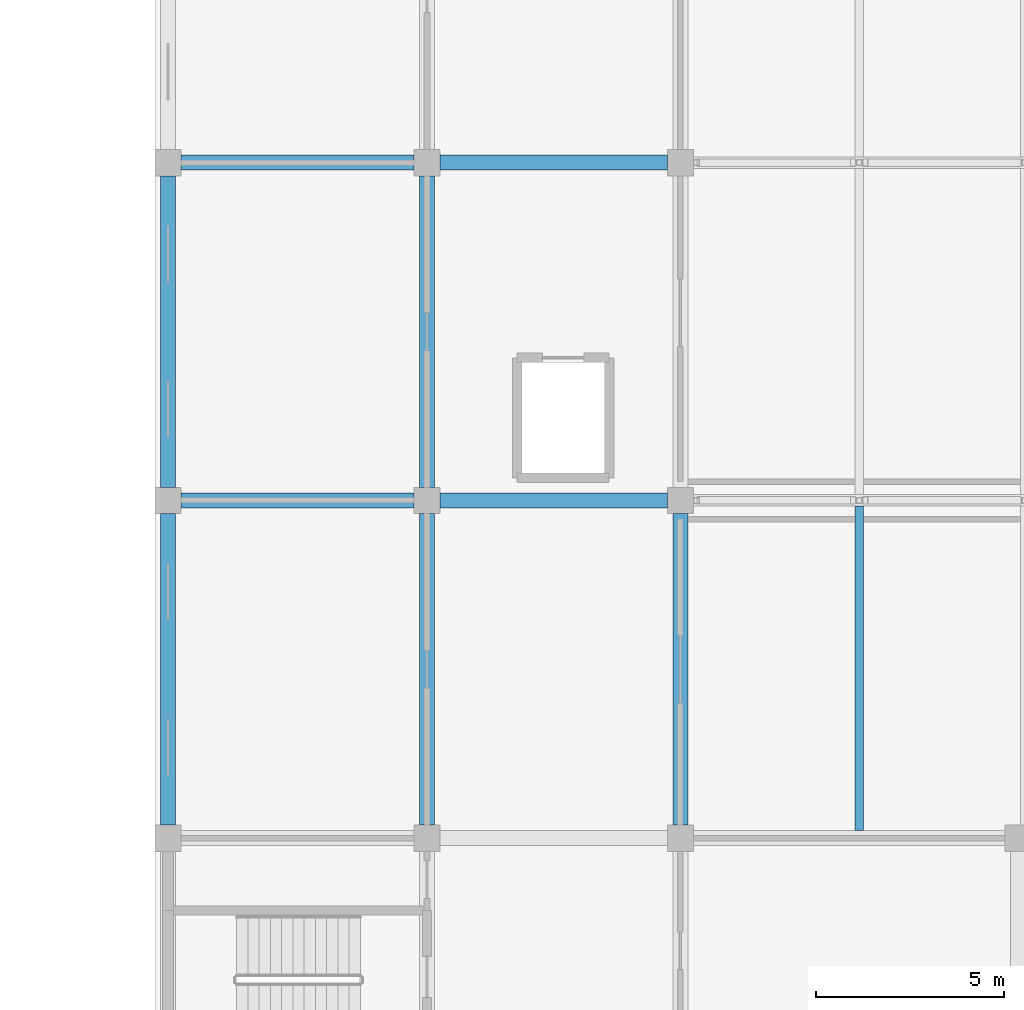
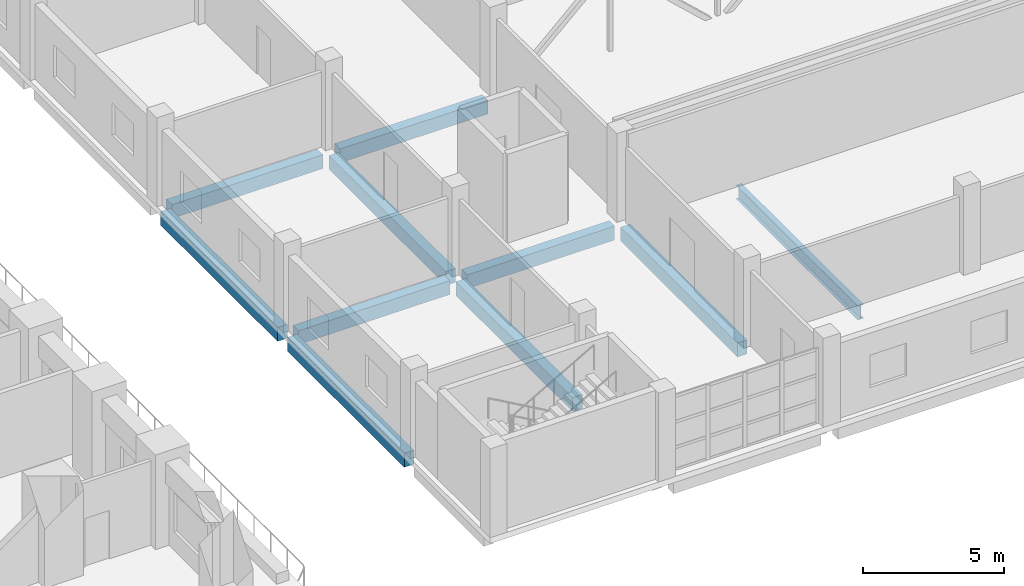
# One storey, part 3 of 42: 10 beams.
"""IFC4 building model written with IfcOpenShell, lengths in metres."""

import ifcopenshell
import ifcopenshell.guid

model = None  # the IFC model being written
_history = None  # IfcOwnerHistory: only IFC2X3 demands one
_inside = {}  # id of a spatial element -> (the spatial element, [elements in it])
_under = {}  # id of a project, library or spatial element -> (it, [spatial elements below it])
_declared = {}  # id of a project -> (the project, [libraries it declares])
_typed = {}  # id of a type object -> (the type object, [elements of that type])
_made_of = {}  # id of a material, layer set ... -> (it, [elements and type objects made of it])


def new_model(schema):
    """Start an empty IFC model of exactly this schema.

    Asked for "IFC4X3", IfcOpenShell would pick the latest addendum, in which some entities
    have other attributes; the version numbers below select the first issue.
    IFC2X3 requires an IfcOwnerHistory on every rooted entity: one is made here for all.
    """
    global model, _history
    if schema == "IFC4X3":
        model = ifcopenshell.file(schema_version=(4, 3, 0, 0))
    else:
        model = ifcopenshell.file(schema=schema)
    _inside.clear()
    _under.clear()
    _declared.clear()
    _typed.clear()
    _made_of.clear()
    _history = None
    if model.schema == "IFC2X3":
        org = make("IfcOrganization", Name="unknown")
        user = make(
            "IfcPersonAndOrganization",
            ThePerson=make("IfcPerson", FamilyName="unknown"),
            TheOrganization=org,
        )
        app = make(
            "IfcApplication",
            ApplicationDeveloper=org,
            Version="unknown",
            ApplicationFullName="unknown",
            ApplicationIdentifier="unknown",
        )
        _history = make(
            "IfcOwnerHistory",
            OwningUser=user,
            OwningApplication=app,
            ChangeAction="ADDED",
            CreationDate=0,
        )
    return model


def make(cls, **values):
    """One entity of the class cls with the attributes given. An attribute that is None is left unset."""
    return model.create_entity(
        cls, **{name: value for name, value in values.items() if value is not None}
    )


def rooted(cls, **values):
    """An entity with a GlobalId (a new one), such as an element, a storey or a relation."""
    return make(cls, GlobalId=ifcopenshell.guid.new(), OwnerHistory=_history, **values)


def si_unit(unit_type, name, prefix=None):
    """IfcSIUnit, for example si_unit("LENGTHUNIT", "METRE", prefix="MILLI")."""
    return make("IfcSIUnit", UnitType=unit_type, Prefix=prefix, Name=name)


def assignment(units):
    """IfcUnitAssignment: the units of a project."""
    return None if units is None else make("IfcUnitAssignment", Units=units)


def point(xyz):
    """IfcCartesianPoint."""
    return None if xyz is None else make("IfcCartesianPoint", Coordinates=xyz)


def direction(xyz):
    """IfcDirection."""
    return None if xyz is None else make("IfcDirection", DirectionRatios=xyz)


def frame(location, z_axis=None, x_axis=None):
    """IfcAxis2Placement3D, a coordinate frame: its origin and axes. An axis left out is left unset."""
    return make(
        "IfcAxis2Placement3D",
        Location=point(location),
        Axis=direction(z_axis),
        RefDirection=direction(x_axis),
    )


def frame_2d(location, x_axis=None):
    """IfcAxis2Placement2D, a coordinate frame in the plane: its origin and x axis."""
    return make(
        "IfcAxis2Placement2D", Location=point(location), RefDirection=direction(x_axis)
    )


def origin():
    """The frame at (0, 0, 0) with its axes left unset."""
    return frame((0.0, 0.0, 0.0))


def origin_2d():
    """The frame at (0, 0) in the plane with its x axis left unset."""
    return frame_2d((0.0, 0.0))


def place(relative_to, where):
    """IfcLocalPlacement: puts the frame where relative to a parent placement (None: the world)."""
    return make(
        "IfcLocalPlacement", PlacementRelTo=relative_to, RelativePlacement=where
    )


def context(
    kind, dimensions, precision=None, world=None, true_north=None, identifier=None
):
    """IfcGeometricRepresentationContext, for example the 3D "Model" context."""
    return make(
        "IfcGeometricRepresentationContext",
        ContextIdentifier=identifier,
        ContextType=kind,
        CoordinateSpaceDimension=dimensions,
        Precision=precision,
        WorldCoordinateSystem=world,
        TrueNorth=true_north,
    )


def subcontext(parent, identifier, kind, view, scale=None):
    """IfcGeometricRepresentationSubContext, for example "Body" below "Model"."""
    return make(
        "IfcGeometricRepresentationSubContext",
        ContextIdentifier=identifier,
        ContextType=kind,
        ParentContext=parent,
        TargetScale=scale,
        TargetView=view,
    )


def project(units=None, contexts=None):
    """IfcProject with its units and contexts."""
    return rooted(
        "IfcProject",
        Name="project",
        RepresentationContexts=contexts,
        UnitsInContext=assignment(units),
    )


def spatial(cls, under=None, at=None, **own):
    """A site, building, storey or space (cls), placed at a placement, below another one or the project."""
    s = rooted(cls, ObjectPlacement=at, **own)
    if under is not None:
        _under.setdefault(under.id(), (under, []))[1].append(s)
    return s


def profile(cls, at=None, kind="AREA", **sizes):
    """A parametric profile (cls). Its sizes go by their IFC names, for example OverallWidth=200.0."""
    return make(cls, ProfileType=kind, Position=at, **sizes)


def rectangle(**sizes):
    """IfcRectangleProfileDef."""
    return profile("IfcRectangleProfileDef", **sizes)


def i_section(**sizes):
    """IfcIShapeProfileDef."""
    return profile("IfcIShapeProfileDef", **sizes)


def extrude(swept, where, along, depth):
    """IfcExtrudedAreaSolid: the profile swept, set in the frame where, extruded along a direction by depth."""
    return make(
        "IfcExtrudedAreaSolid",
        SweptArea=swept,
        Position=where,
        ExtrudedDirection=direction(along),
        Depth=depth,
    )


def shape(context_of_items, identifier, shape_type, items):
    """IfcShapeRepresentation: the items that make up one representation, for example the "Body"."""
    return make(
        "IfcShapeRepresentation",
        ContextOfItems=context_of_items,
        RepresentationIdentifier=identifier,
        RepresentationType=shape_type,
        Items=items,
    )


def material(Name=None, Category=None):
    """IfcMaterial."""
    return make("IfcMaterial", Name=Name, Category=Category)


def material_profile(
    of_material, cross_section, Name=None, Category=None, Priority=None
):
    """IfcMaterialProfile: a cross section and its material."""
    return make(
        "IfcMaterialProfile",
        Name=Name,
        Material=of_material,
        Profile=cross_section,
        Priority=Priority,
        Category=Category,
    )


def profile_set(profiles, Name=None, composite=None):
    """IfcMaterialProfileSet."""
    return make(
        "IfcMaterialProfileSet",
        Name=Name,
        MaterialProfiles=profiles,
        CompositeProfile=composite,
    )


def made_of(thing, what):
    """Note that an element or type object is made of a material, layer set ...; save() writes the relation."""
    if what is not None:
        _made_of.setdefault(what.id(), (what, []))[1].append(thing)
    return thing


def type_object(cls, material=None, **own):
    """A type object (cls), such as IfcWallType, which elements share."""
    return made_of(rooted(cls, **own), material)


def element(
    cls,
    number,
    at=None,
    inside=None,
    cuts=None,
    type_object=None,
    material=None,
    context=None,
    identifier="Body",
    shape_type=None,
    held_by="IfcProductDefinitionShape",
    body=None,
    shapes=None,
    **own,
):
    """One element of the class cls, such as IfcWall. Its Tag is "e" and its number.

    at: its placement. inside: the storey or other place that contains it. cuts: it is an
    opening in that element (IfcRelVoidsElement). A single representation is given by context,
    identifier, shape_type and body (its items); several are given by shapes. held_by: the class
    of the entity that holds the representations. save() writes the other relations.
    """
    e = rooted(cls, Tag="e%d" % number, ObjectPlacement=at, **own)
    if body is not None:
        shapes = [shape(context, identifier, shape_type, body)]
    if shapes is not None:
        e.Representation = make(held_by, Representations=shapes)
    if inside is not None:
        _inside.setdefault(inside.id(), (inside, []))[1].append(e)
    if cuts is not None:
        rooted(
            "IfcRelVoidsElement", RelatingBuildingElement=cuts, RelatedOpeningElement=e
        )
    if type_object is not None:
        _typed.setdefault(type_object.id(), (type_object, []))[1].append(e)
    return made_of(e, material)


def aggregate(whole, parts):
    """IfcRelAggregates: a whole, such as a stair, and the parts it consists of."""
    return rooted("IfcRelAggregates", RelatingObject=whole, RelatedObjects=parts)


def save(model, path):
    """Write the relations noted so far, then the file.

    IfcRelAggregates (storeys below a building ...), IfcRelContainedInSpatialStructure (elements
    in a storey), IfcRelDefinesByType, IfcRelAssociatesMaterial and IfcRelDeclares: one each for
    every whole, place, type object, material and project.
    """
    for whole, parts in _under.values():
        aggregate(whole, parts)
    for where, things in _inside.values():
        rooted(
            "IfcRelContainedInSpatialStructure",
            RelatedElements=things,
            RelatingStructure=where,
        )
    for kind, things in _typed.values():
        rooted("IfcRelDefinesByType", RelatedObjects=things, RelatingType=kind)
    for what, things in _made_of.values():
        rooted("IfcRelAssociatesMaterial", RelatedObjects=things, RelatingMaterial=what)
    for by, libraries in _declared.values():
        rooted("IfcRelDeclares", RelatingContext=by, RelatedDefinitions=libraries)
    model.write(path)


model = new_model("IFC4")

# Units and contexts
model_context = context("Model", 3, precision=1e-05, world=origin(), true_north=direction((0.0, 1.0)))
body_context = subcontext(model_context, "Body", "Model", "MODEL_VIEW")
ifc_project = project(units=[si_unit("LENGTHUNIT", "METRE"), si_unit("AREAUNIT", "SQUARE_METRE"), si_unit("VOLUMEUNIT", "CUBIC_METRE"), si_unit("PLANEANGLEUNIT", "RADIAN"), si_unit("MASSUNIT", "GRAM", prefix="KILO")], contexts=[model_context])

# Site, building, storey
site_placement = place(None, origin())
site = spatial("IfcSite", under=ifc_project, at=site_placement, CompositionType="ELEMENT")
building_placement = place(site_placement, origin())
building = spatial("IfcBuilding", under=site, at=building_placement, Name="Corbel Stack Research Tower", CompositionType="ELEMENT")
storey_placement = place(building_placement, frame((0.0, 0.0, 11.300048828125)))
storey = spatial("IfcBuildingStorey", under=building, at=storey_placement, Name="L02", CompositionType="ELEMENT", Elevation=11.300048828125)

# Beams
ifc_material_1 = material(Name="Concrete C40/50", Category="concrete")
ifc_material_profile_1 = material_profile(ifc_material_1, rectangle(XDim=0.39990234375, YDim=0.60009765625, at=origin_2d()), Name="RC 400 x 600")
ifc_profile_set_1 = profile_set([ifc_material_profile_1], Name="Concrete C40/50")
beam_type_1 = type_object("IfcBeamType", Name="HB1 RC beam 400 x 600", PredefinedType="BEAM", material=ifc_profile_set_1)
beam_1_placement = place(storey_placement, frame((37.300048828125, -17.64990234375, -0.550048828125), z_axis=(0.0, 1.0, 0.0), x_axis=(-1.0, 0.0, 0.0)))
element("IfcBeam", 1, at=beam_1_placement, inside=storey, type_object=beam_type_1, Name="Floor beam L02 H1HB-H1HC", PredefinedType="BEAM", context=body_context, shape_type="SweptSolid", body=[
    extrude(rectangle(XDim=0.39990234375, YDim=0.60009765625, at=origin_2d()), origin(), (0.0, 0.0, 1.0), 8.2998046875),
])
beam_2_placement = place(storey_placement, frame((37.64990234375, -9.0, -0.550048828125), z_axis=(1.0, 0.0, 0.0), x_axis=(0.0, 1.0, 0.0)))
element("IfcBeam", 2, at=beam_2_placement, inside=storey, type_object=beam_type_1, Name="Floor beam L02 H1HC-H2HC", PredefinedType="BEAM", context=body_context, shape_type="SweptSolid", body=[
    extrude(rectangle(XDim=0.39990234375, YDim=0.60009765625, at=origin_2d()), origin(), (0.0, 0.0, 1.0), 6.2001953125),
])
beam_3_placement = place(storey_placement, frame((37.300048828125, -8.64990234375, -0.550048828125), z_axis=(0.0, 1.0, 0.0), x_axis=(-1.0, 0.0, 0.0)))
element("IfcBeam", 3, at=beam_3_placement, inside=storey, type_object=beam_type_1, Name="Floor beam L02 H1HC-H1HD", PredefinedType="BEAM", context=body_context, shape_type="SweptSolid", body=[
    extrude(rectangle(XDim=0.39990234375, YDim=0.60009765625, at=origin_2d()), origin(), (0.0, 0.0, 1.0), 8.2998046875),
])
beam_4_placement = place(storey_placement, frame((37.64990234375, 0.0, -0.550048828125), z_axis=(1.0, 0.0, 0.0), x_axis=(0.0, 1.0, 0.0)))
element("IfcBeam", 4, at=beam_4_placement, inside=storey, type_object=beam_type_1, Name="Floor beam L02 H1HD-H2HD", PredefinedType="BEAM", context=body_context, shape_type="SweptSolid", body=[
    extrude(rectangle(XDim=0.39990234375, YDim=0.60009765625, at=origin_2d()), origin(), (0.0, 0.0, 1.0), 6.2001953125),
])
beam_5_placement = place(storey_placement, frame((44.199951171875, -17.64990234375, -0.550048828125), z_axis=(0.0, 1.0, 0.0), x_axis=(-1.0, 0.0, 0.0)))
element("IfcBeam", 5, at=beam_5_placement, inside=storey, type_object=beam_type_1, Name="Floor beam L02 H2HB-H2HC", PredefinedType="BEAM", context=body_context, shape_type="SweptSolid", body=[
    extrude(rectangle(XDim=0.39990234375, YDim=0.60009765625, at=origin_2d()), origin(), (0.0, 0.0, 1.0), 8.2998046875),
])
beam_6_placement = place(storey_placement, frame((44.550048828125, -9.0, -0.550048828125), z_axis=(1.0, 0.0, 0.0), x_axis=(0.0, 1.0, 0.0)))
element("IfcBeam", 6, at=beam_6_placement, inside=storey, type_object=beam_type_1, Name="Floor beam L02 H2HC-H3HC", PredefinedType="BEAM", context=body_context, shape_type="SweptSolid", body=[
    extrude(rectangle(XDim=0.39990234375, YDim=0.60009765625, at=origin_2d()), origin(), (0.0, 0.0, 1.0), 6.050048828125),
])
beam_7_placement = place(storey_placement, frame((44.199951171875, -8.64990234375, -0.550048828125), z_axis=(0.0, 1.0, 0.0), x_axis=(-1.0, 0.0, 0.0)))
element("IfcBeam", 7, at=beam_7_placement, inside=storey, type_object=beam_type_1, Name="Floor beam L02 H2HC-H2HD", PredefinedType="BEAM", context=body_context, shape_type="SweptSolid", body=[
    extrude(rectangle(XDim=0.39990234375, YDim=0.60009765625, at=origin_2d()), origin(), (0.0, 0.0, 1.0), 8.2998046875),
])
beam_8_placement = place(storey_placement, frame((44.550048828125, 0.0, -0.550048828125), z_axis=(1.0, 0.0, 0.0), x_axis=(0.0, 1.0, 0.0)))
element("IfcBeam", 8, at=beam_8_placement, inside=storey, type_object=beam_type_1, Name="Floor beam L02 H2HD-H3HD", PredefinedType="BEAM", context=body_context, shape_type="SweptSolid", body=[
    extrude(rectangle(XDim=0.39990234375, YDim=0.60009765625, at=origin_2d()), origin(), (0.0, 0.0, 1.0), 6.050048828125),
])
beam_9_placement = place(storey_placement, frame((50.949951171875, -17.64990234375, -0.550048828125), z_axis=(0.0, 1.0, 0.0), x_axis=(-1.0, 0.0, 0.0)))
element("IfcBeam", 9, at=beam_9_placement, inside=storey, type_object=beam_type_1, Name="Floor beam L02 H3HB-H3HC", PredefinedType="BEAM", context=body_context, shape_type="SweptSolid", body=[
    extrude(rectangle(XDim=0.39990234375, YDim=0.60009765625, at=origin_2d()), origin(), (0.0, 0.0, 1.0), 8.2998046875),
])
ifc_material_2 = material(Name="Steel S355", Category="steel")
ifc_material_profile_2 = material_profile(ifc_material_2, i_section(OverallWidth=0.22802734375, OverallDepth=0.60302734375, WebThickness=0.010986328125, FlangeThickness=0.014892578125, at=origin_2d()), Name="W24x68")
ifc_profile_set_2 = profile_set([ifc_material_profile_2], Name="Steel S355")
beam_type_2 = type_object("IfcBeamType", Name="HB2 steel beam W24x68", PredefinedType="BEAM", material=ifc_profile_set_2)
beam_10_placement = place(storey_placement, frame((55.71240234375, -17.800048828125, -0.551513671875), z_axis=(0.0, 1.0, 0.0), x_axis=(-1.0, 0.0, 0.0)))
element("IfcBeam", 10, at=beam_10_placement, inside=storey, type_object=beam_type_2, Name="Steel floor beam L02 bay 1 line 1", PredefinedType="BEAM", context=body_context, shape_type="SweptSolid", body=[
    extrude(i_section(OverallWidth=0.22802734375, OverallDepth=0.60302734375, WebThickness=0.010986328125, FlangeThickness=0.014892578125, at=origin_2d()), origin(), (0.0, 0.0, 1.0), 8.6474609375),
])

save(model, "model.ifc")
